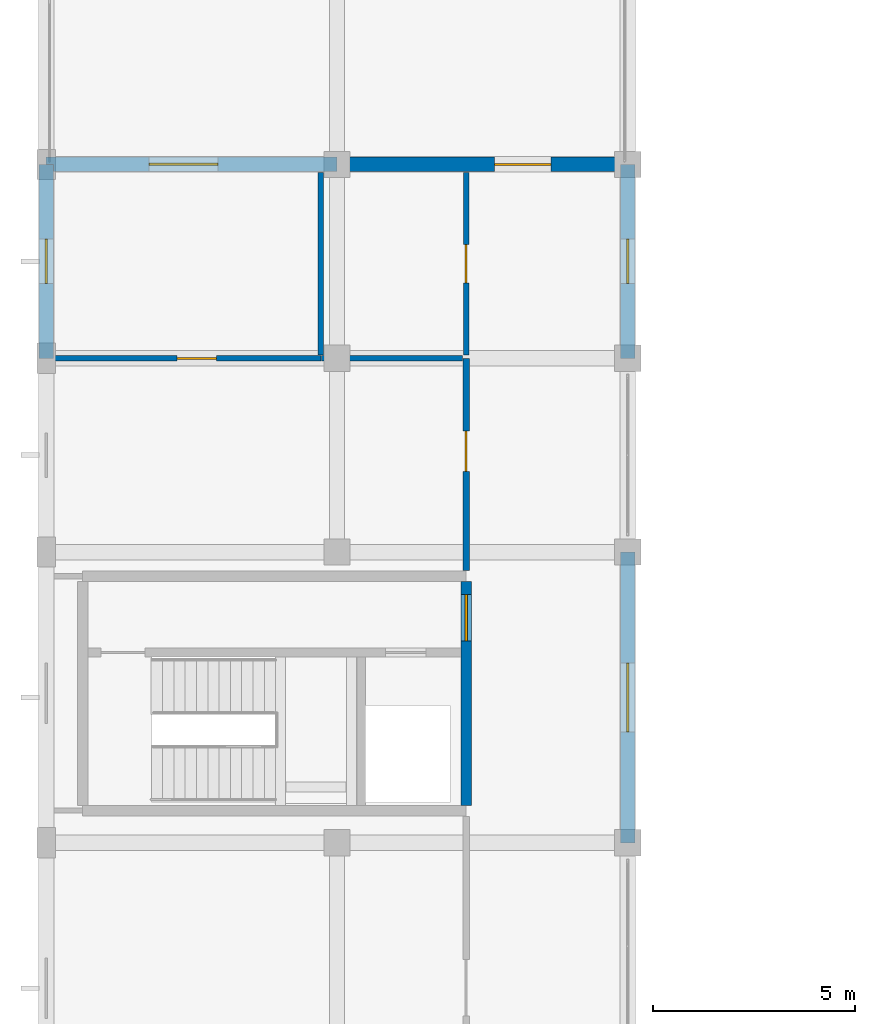
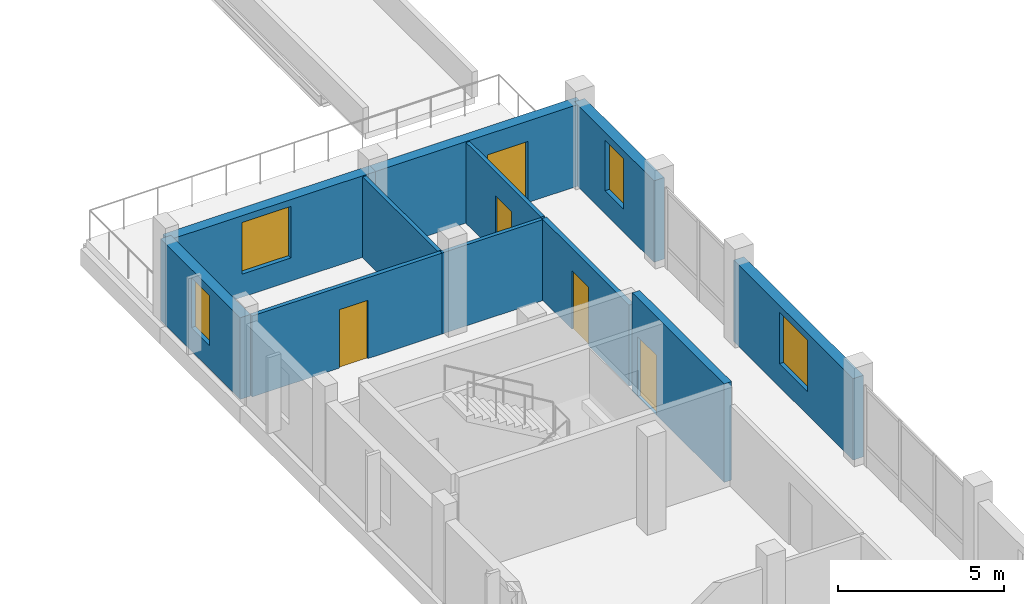
# One storey, part 74 of 93: 11 walls, 5 doors, 4 windows, 9 openings.
"""IFC4 building model written with IfcOpenShell, lengths in metres."""

from ifc_helpers import new_model, si_unit, direction, frame, frame_2d, origin, place, context, subcontext, project, spatial, rectangle, extrude, material, layer, layer_set, type_object, element, fill, save


model = new_model("IFC4")

# Units and contexts
model_context = context("Model", 3, precision=1e-05, world=origin(), true_north=direction((0.0, 1.0)))
body_context = subcontext(model_context, "Body", "Model", "MODEL_VIEW")
ifc_project = project(units=[si_unit("LENGTHUNIT", "METRE"), si_unit("AREAUNIT", "SQUARE_METRE"), si_unit("VOLUMEUNIT", "CUBIC_METRE"), si_unit("PLANEANGLEUNIT", "RADIAN"), si_unit("MASSUNIT", "GRAM", prefix="KILO")], contexts=[model_context])

# Site, building, storey
site_placement = place(None, origin())
site = spatial("IfcSite", under=ifc_project, at=site_placement, CompositionType="ELEMENT")
building_placement = place(site_placement, origin())
building = spatial("IfcBuilding", under=site, at=building_placement, Name="Zornivar Specialist Clinic", CompositionType="ELEMENT")
storey_placement = place(building_placement, frame((0.0, 0.0, 8.39990234375)))
storey = spatial("IfcBuildingStorey", under=building, at=storey_placement, Name="L02", CompositionType="ELEMENT", Elevation=8.39990234375)

# Wall, opening, window
ifc_material_1 = material(Name="Masonry Red-Ochre Brick and Stone Insulated Wall", Category="masonry")
ifc_layer_1 = layer(ifc_material_1, 0.360107421875)
ifc_layer_set_1 = layer_set([ifc_layer_1], Name="Masonry Red-Ochre Brick and Stone Insulated Wall")
wall_type_1 = type_object("IfcWallType", Name="EW-BRICK-360", PredefinedType="SOLIDWALL", material=ifc_layer_set_1)
wall_1_placement = place(storey_placement, frame((14.39990234375, 36.0, 0.0), z_axis=(0.0, 0.0, 1.0), x_axis=(0.0, 1.0, 0.0)))
wall_1 = element("IfcWall", 1, at=wall_1_placement, inside=storey, type_object=wall_type_1, Name="ew:V2:L02:17", PredefinedType="SOLIDWALL", context=body_context, shape_type="SweptSolid", body=[
    extrude(rectangle(XDim=7.199951171875, YDim=0.360107421875, at=frame_2d((3.60009765625, 0.0))), origin(), (0.0, 0.0, 1.0), 3.0),
])
opening_1_placement = place(wall_1_placement, frame((2.75, 0.0, 0.85009765625)))
opening_1 = element("IfcOpeningElement", 2, at=opening_1_placement, cuts=wall_1, Name="Opening W-06", PredefinedType="OPENING", context=body_context, shape_type="SweptSolid", body=[
    extrude(rectangle(XDim=1.699951171875, YDim=1.89990234375, at=frame_2d((0.85009765625, 0.949951171875))), frame((0.0, 0.18994140625, 0.0), z_axis=(0.0, -1.0, 0.0), x_axis=(1.0, 0.0, 0.0)), (0.0, 0.0, 1.0), 0.380126953125),
])
ifc_material_2 = material(Name="Triple-Glazed Aluminium-Timber Window Glass", Category="wood")
window_type_1 = type_object("IfcWindowType", Name="WIN-OUTP-COURT-1700x1900", PartitioningType="SINGLE_PANEL", PredefinedType="WINDOW", material=ifc_material_2)
window_1_placement = place(opening_1_placement, origin())
window_1 = element("IfcWindow", 3, at=window_1_placement, inside=storey, type_object=window_type_1, Name="win:V2:L02:17", OverallHeight=1.89990234375, OverallWidth=1.699951171875, PartitioningType="SINGLE_PANEL", PredefinedType="WINDOW", context=body_context, shape_type="SweptSolid", body=[
    extrude(rectangle(XDim=1.699951171875, YDim=1.89990234375, at=frame_2d((0.85009765625, 0.949951171875))), frame((0.0, 0.030029296875, 0.0), z_axis=(0.0, -1.0, 0.0), x_axis=(1.0, 0.0, 0.0)), (0.0, 0.0, 1.0), 0.06005859375),
])
fill(opening_1, window_1)

wall_2_placement = place(storey_placement, frame((14.39990234375, 48.0, 0.0), z_axis=(0.0, 0.0, 1.0), x_axis=(0.0, 1.0, 0.0)))
wall_2 = element("IfcWall", 4, at=wall_2_placement, inside=storey, type_object=wall_type_1, Name="ew:V2:L02:19", PredefinedType="SOLIDWALL", context=body_context, shape_type="SweptSolid", body=[
    extrude(rectangle(XDim=4.800048828125, YDim=0.360107421875, at=frame_2d((2.39990234375, 0.0))), origin(), (0.0, 0.0, 1.0), 3.0),
])
opening_2_placement = place(wall_2_placement, frame((1.85009765625, 0.0, 0.85009765625)))
opening_2 = element("IfcOpeningElement", 5, at=opening_2_placement, cuts=wall_2, Name="Opening W-07", PredefinedType="OPENING", context=body_context, shape_type="SweptSolid", body=[
    extrude(rectangle(XDim=1.10009765625, YDim=1.85009765625, at=frame_2d((0.550048828125, 0.925048828125))), frame((0.0, 0.18994140625, 0.0), z_axis=(0.0, -1.0, 0.0), x_axis=(1.0, 0.0, 0.0)), (0.0, 0.0, 1.0), 0.380126953125),
])
ifc_material_3 = material(Name="Triple-Glazed Aluminium-Timber Window Glass", Category="wood")
window_type_2 = type_object("IfcWindowType", Name="WIN-OUTP-PIER-1100x1850", PartitioningType="SINGLE_PANEL", PredefinedType="WINDOW", material=ifc_material_3)
window_2_placement = place(opening_2_placement, origin())
window_2 = element("IfcWindow", 6, at=window_2_placement, inside=storey, type_object=window_type_2, Name="win:V2:L02:19", OverallHeight=1.85009765625, OverallWidth=1.10009765625, PartitioningType="SINGLE_PANEL", PredefinedType="WINDOW", context=body_context, shape_type="SweptSolid", body=[
    extrude(rectangle(XDim=1.10009765625, YDim=1.85009765625, at=frame_2d((0.550048828125, 0.925048828125))), frame((0.0, 0.030029296875, 0.0), z_axis=(0.0, -1.0, 0.0), x_axis=(1.0, 0.0, 0.0)), (0.0, 0.0, 1.0), 0.06005859375),
])
fill(opening_2, window_2)

# Wall, opening, door
wall_3_placement = place(storey_placement, frame((14.39990234375, 52.800048828125, 0.0), z_axis=(0.0, 0.0, 1.0), x_axis=(-1.0, 0.0, 0.0)))
wall_3 = element("IfcWall", 7, at=wall_3_placement, inside=storey, type_object=wall_type_1, Name="ew:V2:L02:20", PredefinedType="SOLIDWALL", context=body_context, shape_type="SweptSolid", body=[
    extrude(rectangle(XDim=7.199951171875, YDim=0.360107421875, at=frame_2d((3.60009765625, 0.0))), origin(), (0.0, 0.0, 1.0), 3.0),
])
opening_3_placement = place(wall_3_placement, frame((1.89990234375, 0.0, 0.0)))
opening_3 = element("IfcOpeningElement", 8, at=opening_3_placement, cuts=wall_3, Name="Opening TD-01", PredefinedType="OPENING", context=body_context, shape_type="SweptSolid", body=[
    extrude(rectangle(XDim=1.39990234375, YDim=2.25, at=frame_2d((0.699951171875, 1.125))), frame((0.0, 0.18994140625, 0.0), z_axis=(0.0, -1.0, 0.0), x_axis=(1.0, 0.0, 0.0)), (0.0, 0.0, 1.0), 0.380126953125),
])
ifc_material_4 = material(Name="Thermally Broken Glazed Aluminium Door", Category="aluminium")
door_type_1 = type_object("IfcDoorType", Name="TD-TERR-1400x2250", OperationType="NOTDEFINED", PredefinedType="DOOR", material=ifc_material_4)
door_1_placement = place(opening_3_placement, origin())
door_1 = element("IfcDoor", 9, at=door_1_placement, inside=storey, type_object=door_type_1, Name="door:V2:L02:terr:0", OperationType="SINGLE_SWING_LEFT", OverallHeight=2.25, OverallWidth=1.39990234375, PredefinedType="DOOR", context=body_context, shape_type="SweptSolid", body=[
    extrude(rectangle(XDim=1.39990234375, YDim=2.25, at=frame_2d((0.699951171875, 1.125))), frame((0.0, 0.02490234375, 0.0), z_axis=(0.0, -1.0, 0.0), x_axis=(1.0, 0.0, 0.0)), (0.0, 0.0, 1.0), 0.050048828125),
])
fill(opening_3, door_1)

# Wall, opening, window
wall_4_placement = place(storey_placement, frame((7.199951171875, 52.800048828125, 0.0), z_axis=(0.0, 0.0, 1.0), x_axis=(-1.0, 0.0, 0.0)))
wall_4 = element("IfcWall", 10, at=wall_4_placement, inside=storey, type_object=wall_type_1, Name="ew:V2:L02:21", PredefinedType="SOLIDWALL", context=body_context, shape_type="SweptSolid", body=[
    extrude(rectangle(XDim=7.199951171875, YDim=0.360107421875, at=frame_2d((3.60009765625, 0.0))), origin(), (0.0, 0.0, 1.0), 3.0),
])
opening_4_placement = place(wall_4_placement, frame((2.949951171875, 0.0, 0.85009765625)))
opening_4 = element("IfcOpeningElement", 11, at=opening_4_placement, cuts=wall_4, Name="Opening W-06", PredefinedType="OPENING", context=body_context, shape_type="SweptSolid", body=[
    extrude(rectangle(XDim=1.699951171875, YDim=1.89990234375, at=frame_2d((0.85009765625, 0.949951171875))), frame((0.0, 0.18994140625, 0.0), z_axis=(0.0, -1.0, 0.0), x_axis=(1.0, 0.0, 0.0)), (0.0, 0.0, 1.0), 0.380126953125),
])
window_3_placement = place(opening_4_placement, origin())
window_3 = element("IfcWindow", 12, at=window_3_placement, inside=storey, type_object=window_type_1, Name="win:V2:L02:21", OverallHeight=1.89990234375, OverallWidth=1.699951171875, PartitioningType="SINGLE_PANEL", PredefinedType="WINDOW", context=body_context, shape_type="SweptSolid", body=[
    extrude(rectangle(XDim=1.699951171875, YDim=1.89990234375, at=frame_2d((0.85009765625, 0.949951171875))), frame((0.0, 0.030029296875, 0.0), z_axis=(0.0, -1.0, 0.0), x_axis=(1.0, 0.0, 0.0)), (0.0, 0.0, 1.0), 0.06005859375),
])
fill(opening_4, window_3)

wall_5_placement = place(storey_placement, frame((0.0, 52.800048828125, 0.0), z_axis=(0.0, 0.0, 1.0), x_axis=(0.0, -1.0, 0.0)))
wall_5 = element("IfcWall", 13, at=wall_5_placement, inside=storey, type_object=wall_type_1, Name="ew:V2:L02:22", PredefinedType="SOLIDWALL", context=body_context, shape_type="SweptSolid", body=[
    extrude(rectangle(XDim=4.800048828125, YDim=0.360107421875, at=frame_2d((2.39990234375, 0.0))), origin(), (0.0, 0.0, 1.0), 3.0),
])
opening_5_placement = place(wall_5_placement, frame((1.85009765625, 0.0, 0.85009765625)))
opening_5 = element("IfcOpeningElement", 14, at=opening_5_placement, cuts=wall_5, Name="Opening W-07", PredefinedType="OPENING", context=body_context, shape_type="SweptSolid", body=[
    extrude(rectangle(XDim=1.10009765625, YDim=1.85009765625, at=frame_2d((0.550048828125, 0.925048828125))), frame((0.0, 0.18994140625, 0.0), z_axis=(0.0, -1.0, 0.0), x_axis=(1.0, 0.0, 0.0)), (0.0, 0.0, 1.0), 0.380126953125),
])
window_4_placement = place(opening_5_placement, origin())
window_4 = element("IfcWindow", 15, at=window_4_placement, inside=storey, type_object=window_type_2, Name="win:V2:L02:22", OverallHeight=1.85009765625, OverallWidth=1.10009765625, PartitioningType="SINGLE_PANEL", PredefinedType="WINDOW", context=body_context, shape_type="SweptSolid", body=[
    extrude(rectangle(XDim=1.10009765625, YDim=1.85009765625, at=frame_2d((0.550048828125, 0.925048828125))), frame((0.0, 0.030029296875, 0.0), z_axis=(0.0, -1.0, 0.0), x_axis=(1.0, 0.0, 0.0)), (0.0, 0.0, 1.0), 0.06005859375),
])
fill(opening_5, window_4)

# Wall, opening, door
ifc_material_5 = material(Name="Acoustic Clinical Stud Partition")
ifc_layer_2 = layer(ifc_material_5, 0.139892578125)
ifc_layer_set_2 = layer_set([ifc_layer_2], Name="Acoustic Clinical Stud Partition")
wall_type_2 = type_object("IfcWallType", Name="IW-CLIN-140", PredefinedType="PARTITIONING", material=ifc_layer_set_2)
wall_6_placement = place(storey_placement, frame((0.195068359375, 48.0, 0.0), z_axis=(0.0, 0.0, 1.0), x_axis=(1.0, 0.0, 0.0)))
wall_6 = element("IfcWall", 16, at=wall_6_placement, inside=storey, type_object=wall_type_2, Name="iw:L02:060", PredefinedType="PARTITIONING", context=body_context, shape_type="SweptSolid", body=[
    extrude(rectangle(XDim=6.60498046875, YDim=0.139892578125, at=frame_2d((3.302490234375, 0.0))), origin(), (0.0, 0.0, 1.0), 2.97998046875),
])
opening_6_placement = place(wall_6_placement, frame((3.0458984375, 0.0, 0.0)))
opening_6 = element("IfcOpeningElement", 17, at=opening_6_placement, cuts=wall_6, Name="Opening ID-09", PredefinedType="OPENING", context=body_context, shape_type="SweptSolid", body=[
    extrude(rectangle(XDim=0.97998046875, YDim=2.14990234375, at=frame_2d((0.489990234375, 1.074951171875))), frame((0.0, 0.079833984375, 0.0), z_axis=(0.0, -1.0, 0.0), x_axis=(1.0, 0.0, 0.0)), (0.0, 0.0, 1.0), 0.159912109375),
])
ifc_material_6 = material(Name="Solid-Core Hygienic Laminate Timber Door", Category="wood")
door_type_2 = type_object("IfcDoorType", Name="ID-STAFF-0980x2150", OperationType="NOTDEFINED", PredefinedType="DOOR", material=ifc_material_6)
door_2_placement = place(opening_6_placement, origin())
door_2 = element("IfcDoor", 18, at=door_2_placement, inside=storey, type_object=door_type_2, Name="door:space:V2:L02:rm:05b", OperationType="SINGLE_SWING_LEFT", OverallHeight=2.14990234375, OverallWidth=0.97998046875, PredefinedType="DOOR", context=body_context, shape_type="SweptSolid", body=[
    extrude(rectangle(XDim=0.97998046875, YDim=2.14990234375, at=frame_2d((0.489990234375, 1.074951171875))), frame((0.0, 0.02490234375, 0.0), z_axis=(0.0, -1.0, 0.0), x_axis=(1.0, 0.0, 0.0)), (0.0, 0.0, 1.0), 0.050048828125),
])
fill(opening_6, door_2)

ifc_material_7 = material(Name="Gypsum Fire-Rated Double Stud Partition")
ifc_layer_3 = layer(ifc_material_7, 0.159912109375)
ifc_layer_set_3 = layer_set([ifc_layer_3], Name="Gypsum Fire-Rated Double Stud Partition")
wall_type_3 = type_object("IfcWallType", Name="IW-CORR-EI60-160", PredefinedType="PARTITIONING", material=ifc_layer_set_3)
wall_7_placement = place(storey_placement, frame((10.39990234375, 48.0, 0.0), z_axis=(0.0, 0.0, 1.0), x_axis=(0.0, -1.0, 0.0)))
wall_7 = element("IfcWall", 19, at=wall_7_placement, inside=storey, type_object=wall_type_3, Name="iw:L02:058", PredefinedType="PARTITIONING", context=body_context, shape_type="SweptSolid", body=[
    extrude(rectangle(XDim=5.2548828125, YDim=0.159912109375, at=frame_2d((2.62744140625, 0.0))), origin(), (0.0, 0.0, 1.0), 2.97998046875),
])
opening_7_placement = place(wall_7_placement, frame((1.798095703125, 0.0, 0.0)))
opening_7 = element("IfcOpeningElement", 20, at=opening_7_placement, cuts=wall_7, Name="Opening ID-04", PredefinedType="OPENING", context=body_context, shape_type="SweptSolid", body=[
    extrude(rectangle(XDim=1.0, YDim=2.14990234375, at=frame_2d((0.5, 1.074951171875))), frame((0.0, 0.08984375, 0.0), z_axis=(0.0, -1.0, 0.0), x_axis=(1.0, 0.0, 0.0)), (0.0, 0.0, 1.0), 0.179931640625),
])
ifc_material_8 = material(Name="Solid-Core Hygienic Laminate Timber Door", Category="wood")
door_type_3 = type_object("IfcDoorType", Name="ID-EXAM-1000x2150", OperationType="NOTDEFINED", PredefinedType="DOOR", material=ifc_material_8)
door_3_placement = place(opening_7_placement, origin())
door_3 = element("IfcDoor", 21, at=door_3_placement, inside=storey, type_object=door_type_3, Name="door:space:V2:L02:rm:04", OperationType="SINGLE_SWING_LEFT", OverallHeight=2.14990234375, OverallWidth=1.0, PredefinedType="DOOR", context=body_context, shape_type="SweptSolid", body=[
    extrude(rectangle(XDim=1.0, YDim=2.14990234375, at=frame_2d((0.5, 1.074951171875))), frame((0.0, 0.02490234375, 0.0), z_axis=(0.0, -1.0, 0.0), x_axis=(1.0, 0.0, 0.0)), (0.0, 0.0, 1.0), 0.050048828125),
])
fill(opening_7, door_3)

# Walls
ifc_material_9 = material(Name="Moisture-Resistant Sanitary Partition")
ifc_layer_4 = layer(ifc_material_9, 0.1298828125)
ifc_layer_set_4 = layer_set([ifc_layer_4], Name="Moisture-Resistant Sanitary Partition")
wall_type_4 = type_object("IfcWallType", Name="IW-WET-130", PredefinedType="PARTITIONING", material=ifc_layer_set_4)
wall_8_placement = place(storey_placement, frame((6.81201171875, 48.0, 0.0), z_axis=(0.0, 0.0, 1.0), x_axis=(1.0, 0.0, 0.0)))
element("IfcWall", 22, at=wall_8_placement, inside=storey, type_object=wall_type_4, Name="iw:L02:061", PredefinedType="PARTITIONING", context=body_context, shape_type="SweptSolid", body=[
    extrude(rectangle(XDim=3.493896484375, YDim=0.1298828125, at=frame_2d((1.7470703125, 0.0))), origin(), (0.0, 0.0, 1.0), 2.97998046875),
])
wall_9_placement = place(storey_placement, frame((6.800048828125, 48.083984375, 0.0), z_axis=(0.0, 0.0, 1.0), x_axis=(0.0, 1.0, 0.0)))
element("IfcWall", 23, at=wall_9_placement, inside=storey, type_object=wall_type_4, Name="iw:L02:062", PredefinedType="PARTITIONING", context=body_context, shape_type="SweptSolid", body=[
    extrude(rectangle(XDim=4.51611328125, YDim=0.1298828125, at=frame_2d((2.258056640625, 0.0))), origin(), (0.0, 0.0, 1.0), 2.97998046875),
])

# Wall, opening, door
wall_10_placement = place(storey_placement, frame((10.39990234375, 52.60009765625, 0.0), z_axis=(0.0, 0.0, 1.0), x_axis=(0.0, -1.0, 0.0)))
wall_10 = element("IfcWall", 24, at=wall_10_placement, inside=storey, type_object=wall_type_4, Name="iw:L02:063", PredefinedType="PARTITIONING", context=body_context, shape_type="SweptSolid", body=[
    extrude(rectangle(XDim=4.52099609375, YDim=0.1298828125, at=frame_2d((2.260498046875, 0.0))), origin(), (0.0, 0.0, 1.0), 2.97998046875),
])
opening_8_placement = place(wall_10_placement, frame((1.785888671875, 0.0, 0.0)))
opening_8 = element("IfcOpeningElement", 25, at=opening_8_placement, cuts=wall_10, Name="Opening ID-07", PredefinedType="OPENING", context=body_context, shape_type="SweptSolid", body=[
    extrude(rectangle(XDim=0.949951171875, YDim=2.10009765625, at=frame_2d((0.47509765625, 1.050048828125))), frame((0.0, 0.074951171875, 0.0), z_axis=(0.0, -1.0, 0.0), x_axis=(1.0, 0.0, 0.0)), (0.0, 0.0, 1.0), 0.14990234375),
])
ifc_material_10 = material(Name="Solid-Core Hygienic Laminate Timber Door", Category="wood")
door_type_4 = type_object("IfcDoorType", Name="ID-WC-ACC-0950x2100", OperationType="NOTDEFINED", PredefinedType="DOOR", material=ifc_material_10)
door_4_placement = place(opening_8_placement, origin())
door_4 = element("IfcDoor", 26, at=door_4_placement, inside=storey, type_object=door_type_4, Name="door:space:V2:L02:rm:05", OperationType="SINGLE_SWING_RIGHT", OverallHeight=2.10009765625, OverallWidth=0.949951171875, PredefinedType="DOOR", context=body_context, shape_type="SweptSolid", body=[
    extrude(rectangle(XDim=0.949951171875, YDim=2.10009765625, at=frame_2d((0.47509765625, 1.050048828125))), frame((0.0, 0.02490234375, 0.0), z_axis=(0.0, -1.0, 0.0), x_axis=(1.0, 0.0, 0.0)), (0.0, 0.0, 1.0), 0.050048828125),
])
fill(opening_8, door_4)

ifc_material_11 = material(Name="Concrete C35/45", Category="concrete")
ifc_layer_5 = layer(ifc_material_11, 0.260009765625)
ifc_layer_set_5 = layer_set([ifc_layer_5], Name="Concrete C35/45")
wall_type_5 = type_object("IfcWallType", Name="SW-CORE-260", PredefinedType="SHEAR", material=ifc_layer_set_5)
wall_11_placement = place(storey_placement, frame((10.39990234375, 36.929931640625, 0.0), z_axis=(0.0, 0.0, 1.0), x_axis=(0.0, 1.0, 0.0)))
wall_11 = element("IfcWall", 27, at=wall_11_placement, inside=storey, type_object=wall_type_5, Name="sw:C2:L02:w1", PredefinedType="SHEAR", context=body_context, shape_type="SweptSolid", body=[
    extrude(rectangle(XDim=5.5400390625, YDim=0.260009765625, at=frame_2d((2.77001953125, 0.0))), origin(), (0.0, 0.0, 1.0), 3.6201171875),
])
opening_9_placement = place(wall_11_placement, frame((4.070068359375, 0.0, 0.0)))
opening_9 = element("IfcOpeningElement", 28, at=opening_9_placement, cuts=wall_11, Name="Opening FD-03", PredefinedType="OPENING", context=body_context, shape_type="SweptSolid", body=[
    extrude(rectangle(XDim=1.14990234375, YDim=2.199951171875, at=frame_2d((0.574951171875, 1.10009765625))), frame((0.0, 0.139892578125, 0.0), z_axis=(0.0, -1.0, 0.0), x_axis=(1.0, 0.0, 0.0)), (0.0, 0.0, 1.0), 0.280029296875),
])
ifc_material_12 = material(Name="Solid-Core Hygienic Laminate Timber Door", Category="wood")
door_type_5 = type_object("IfcDoorType", Name="FD-LOBBY-UPPER-1150x2200", OperationType="NOTDEFINED", PredefinedType="DOOR", material=ifc_material_12)
door_5_placement = place(opening_9_placement, origin())
door_5 = element("IfcDoor", 29, at=door_5_placement, inside=storey, type_object=door_type_5, Name="door:C2:L02:lob", OperationType="SINGLE_SWING_RIGHT", OverallHeight=2.199951171875, OverallWidth=1.14990234375, PredefinedType="DOOR", context=body_context, shape_type="SweptSolid", body=[
    extrude(rectangle(XDim=1.14990234375, YDim=2.199951171875, at=frame_2d((0.574951171875, 1.10009765625))), frame((0.0, 0.02490234375, 0.0), z_axis=(0.0, -1.0, 0.0), x_axis=(1.0, 0.0, 0.0)), (0.0, 0.0, 1.0), 0.050048828125),
])
fill(opening_9, door_5)

save(model, "model.ifc")
